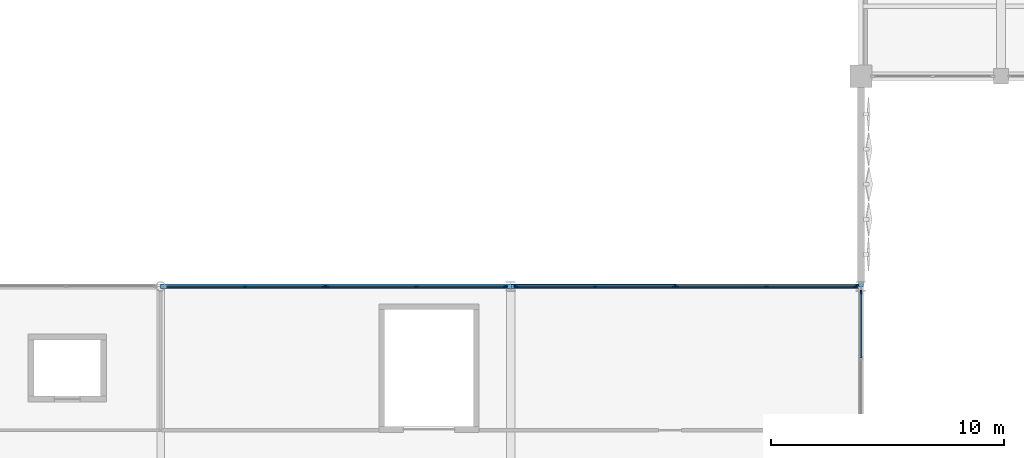
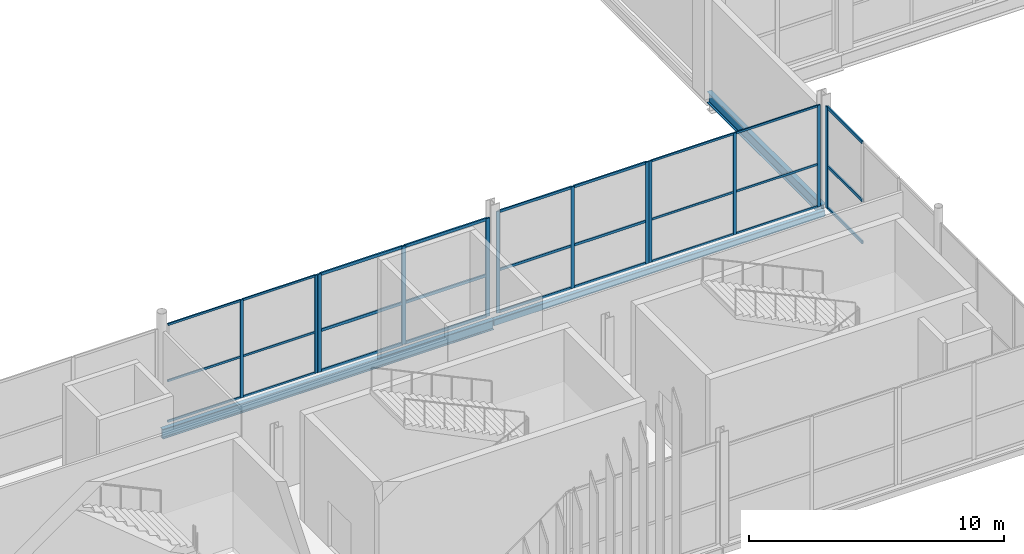
# One storey, part 29 of 119: 39 members, 3 beams, 5 elements without a shape of their own.
"""IFC4 building model written with IfcOpenShell, lengths in metres."""

from ifc_helpers import new_model, si_unit, direction, frame, origin, origin_2d, place, context, subcontext, project, spatial, rectangle, hollow_rectangle, i_section, extrude, material, layer, layer_set, material_profile, profile_set, type_object, element, aggregate, save


model = new_model("IFC4")

# Units and contexts
model_context = context("Model", 3, precision=1e-05, world=origin(), true_north=direction((0.0, 1.0)))
body_context = subcontext(model_context, "Body", "Model", "MODEL_VIEW")
ifc_project = project(units=[si_unit("LENGTHUNIT", "METRE"), si_unit("AREAUNIT", "SQUARE_METRE"), si_unit("VOLUMEUNIT", "CUBIC_METRE"), si_unit("PLANEANGLEUNIT", "RADIAN"), si_unit("MASSUNIT", "GRAM", prefix="KILO")], contexts=[model_context])

# Site, building, storey
site_placement = place(None, origin())
site = spatial("IfcSite", under=ifc_project, at=site_placement, CompositionType="ELEMENT")
building_placement = place(site_placement, origin())
building = spatial("IfcBuilding", under=site, at=building_placement, Name="Qamarlyn Nura Convention Centre", CompositionType="ELEMENT")
storey_placement = place(building_placement, frame((0.0, 0.0, 5.39990234375)))
storey = spatial("IfcBuildingStorey", under=building, at=storey_placement, Name="L01", CompositionType="ELEMENT", Elevation=5.39990234375)

# Beams
ifc_material_1 = material(Name="Steel ASTM A992", Category="steel")
ifc_material_profile_1 = material_profile(ifc_material_1, i_section(OverallWidth=0.193115234375, OverallDepth=0.466064453125, WebThickness=0.011474609375, FlangeThickness=0.01904296875, FilletRadius=0.012939453125, at=origin_2d()), Name="W460X97")
ifc_profile_set_1 = profile_set([ifc_material_profile_1], Name="Steel ASTM A992")
beam_type_1 = type_object("IfcBeamType", Name="BM-SPAN-460", PredefinedType="SPANDREL", material=ifc_profile_set_1)
beam_1_placement = place(storey_placement, frame((90.0, 18.0, -0.452880859375), z_axis=(1.0, 0.0, 0.0), x_axis=(0.0, 1.0, 0.0)))
element("IfcBeam", 1, at=beam_1_placement, inside=storey, type_object=beam_type_1, Name="L01 girder C 7-8", PredefinedType="SPANDREL", context=body_context, shape_type="SweptSolid", body=[
    extrude(i_section(OverallWidth=0.193115234375, OverallDepth=0.466064453125, WebThickness=0.011474609375, FlangeThickness=0.01904296875, FilletRadius=0.012939453125, at=origin_2d()), origin(), (0.0, 0.0, 1.0), 15.0),
])
ifc_material_profile_2 = material_profile(ifc_material_1, i_section(OverallWidth=0.2109375, OverallDepth=0.5390625, WebThickness=0.01171875, FlangeThickness=0.018798828125, FilletRadius=0.013916015625, at=origin_2d()), Name="W530X109")
ifc_profile_set_2 = profile_set([ifc_material_profile_2], Name="Steel ASTM A992")
beam_type_2 = type_object("IfcBeamType", Name="BM-SPAN-530", PredefinedType="SPANDREL", material=ifc_profile_set_2)
beam_2_placement = place(storey_placement, frame((120.0, 18.0, -0.269287109375), z_axis=(0.0, 1.0, 0.0), x_axis=(-1.0, 0.0, 0.0)))
element("IfcBeam", 2, at=beam_2_placement, inside=storey, type_object=beam_type_2, Name="L01 girder 9 C-D", PredefinedType="SPANDREL", context=body_context, shape_type="SweptSolid", body=[
    extrude(i_section(OverallWidth=0.2109375, OverallDepth=0.5390625, WebThickness=0.01171875, FlangeThickness=0.018798828125, FilletRadius=0.013916015625, at=origin_2d()), origin(), (0.0, 0.0, 1.0), 9.0),
])
ifc_material_2 = material(Name="Steel ASTM A500 Grade C", Category="steel")
ifc_material_profile_3 = material_profile(ifc_material_2, hollow_rectangle(XDim=0.199951171875, YDim=0.300048828125, WallThickness=0.012451171875, InnerFilletRadius=0.012451171875, OuterFilletRadius=0.02490234375, at=origin_2d()), Name="HSS300X200X12.5")
ifc_profile_set_3 = profile_set([ifc_material_profile_3], Name="Steel ASTM A500 Grade C")
beam_type_3 = type_object("IfcBeamType", Name="BM-SPAN-HSS", PredefinedType="SPANDREL", material=ifc_profile_set_3)
beam_3_placement = place(storey_placement, frame((105.0, 18.0, -0.369873046875), z_axis=(1.0, 0.0, 0.0), x_axis=(0.0, 1.0, 0.0)))
element("IfcBeam", 3, at=beam_3_placement, inside=storey, type_object=beam_type_3, Name="L01 girder C 8-9", PredefinedType="SPANDREL", context=body_context, shape_type="SweptSolid", body=[
    extrude(hollow_rectangle(XDim=0.199951171875, YDim=0.300048828125, WallThickness=0.012451171875, InnerFilletRadius=0.012451171875, OuterFilletRadius=0.02490234375, at=origin_2d()), origin(), (0.0, 0.0, 1.0), 15.0),
])

# Curtain wall, members
ifc_material_3 = material(Name="Double-silver low-E insulated glass", Category="glass")
ifc_layer_1 = layer(ifc_material_3, 0.179931640625, Name="CW-UNIT-05")
ifc_layer_set_1 = layer_set([ifc_layer_1], Name="Double-silver low-E insulated glass")
curtain_wall_type_1 = type_object("IfcCurtainWallType", Name="CW-UNIT-05", PredefinedType="NOTDEFINED", material=ifc_layer_set_1)
curtain_wall_1_placement = place(storey_placement, origin())
curtain_wall_1 = element("IfcCurtainWall", 4, at=curtain_wall_1_placement, inside=storey, type_object=curtain_wall_type_1, Name="L01 unitised curtain wall V1-INT-S3-1A", PredefinedType="NOTDEFINED")
ifc_material_4 = material(Name="Champagne-anodised marine aluminium", Category="aluminium")
ifc_material_profile_4 = material_profile(ifc_material_4, rectangle(XDim=0.06005859375, YDim=0.139892578125, at=origin_2d()), Name="ALU MULLION 60x140")
ifc_profile_set_4 = profile_set([ifc_material_profile_4], Name="Champagne-anodised marine aluminium")
member_type_1 = type_object("IfcMemberType", Name="CWM-140", PredefinedType="MULLION", material=ifc_profile_set_4)
member_1_placement = place(storey_placement, frame((93.6123046875, 18.0, 0.0), z_axis=(0.0, 0.0, 1.0), x_axis=(0.0, 1.0, 0.0)))
member_1 = element("IfcMember", 5, at=member_1_placement, type_object=member_type_1, Name="CW05 mullion 2", PredefinedType="MULLION", context=body_context, shape_type="SweptSolid", body=[
    extrude(rectangle(XDim=0.06005859375, YDim=0.139892578125, at=origin_2d()), origin(), (0.0, 0.0, 1.0), 4.69921875),
])
member_2_placement = place(storey_placement, frame((96.99169921875, 18.0, 0.0), z_axis=(0.0, 0.0, 1.0), x_axis=(0.0, 1.0, 0.0)))
member_2 = element("IfcMember", 6, at=member_2_placement, type_object=member_type_1, Name="CW05 mullion 3", PredefinedType="MULLION", context=body_context, shape_type="SweptSolid", body=[
    extrude(rectangle(XDim=0.06005859375, YDim=0.139892578125, at=origin_2d()), origin(), (0.0, 0.0, 1.0), 4.69921875),
])

ifc_layer_2 = layer(ifc_material_3, 0.179931640625, Name="CW-UNIT-08")
ifc_layer_set_2 = layer_set([ifc_layer_2], Name="Double-silver low-E insulated glass")
curtain_wall_type_2 = type_object("IfcCurtainWallType", Name="CW-UNIT-08", PredefinedType="NOTDEFINED", material=ifc_layer_set_2)
curtain_wall_2_placement = place(storey_placement, origin())
curtain_wall_2 = element("IfcCurtainWall", 7, at=curtain_wall_2_placement, inside=storey, type_object=curtain_wall_type_2, Name="L01 unitised curtain wall V1-INT-S4-1B", PredefinedType="NOTDEFINED")
member_3_placement = place(storey_placement, frame((112.13232421875, 18.0, 0.0), z_axis=(0.0, 0.0, 1.0), x_axis=(0.0, 1.0, 0.0)))
member_3 = element("IfcMember", 8, at=member_3_placement, type_object=member_type_1, Name="CW08 mullion 1", PredefinedType="MULLION", context=body_context, shape_type="SweptSolid", body=[
    extrude(rectangle(XDim=0.06005859375, YDim=0.139892578125, at=origin_2d()), origin(), (0.0, 0.0, 1.0), 4.864990234375),
])
member_4_placement = place(storey_placement, frame((115.948974609375, 18.0, 0.0), z_axis=(0.0, 0.0, 1.0), x_axis=(0.0, 1.0, 0.0)))
member_4 = element("IfcMember", 9, at=member_4_placement, type_object=member_type_1, Name="CW08 mullion 2", PredefinedType="MULLION", context=body_context, shape_type="SweptSolid", body=[
    extrude(rectangle(XDim=0.06005859375, YDim=0.139892578125, at=origin_2d()), origin(), (0.0, 0.0, 1.0), 4.864990234375),
])
member_5_placement = place(storey_placement, frame((119.765380859375, 18.0, 0.0), z_axis=(0.0, 0.0, 1.0), x_axis=(0.0, 1.0, 0.0)))
member_5 = element("IfcMember", 10, at=member_5_placement, type_object=member_type_1, Name="CW08 mullion 3", PredefinedType="MULLION", context=body_context, shape_type="SweptSolid", body=[
    extrude(rectangle(XDim=0.06005859375, YDim=0.139892578125, at=origin_2d()), origin(), (0.0, 0.0, 1.0), 4.864990234375),
])

ifc_layer_3 = layer(ifc_material_3, 0.179931640625, Name="CW-UNIT-07")
ifc_layer_set_3 = layer_set([ifc_layer_3], Name="Double-silver low-E insulated glass")
curtain_wall_type_3 = type_object("IfcCurtainWallType", Name="CW-UNIT-07", PredefinedType="NOTDEFINED", material=ifc_layer_set_3)
curtain_wall_3_placement = place(storey_placement, origin())
curtain_wall_3 = element("IfcCurtainWall", 11, at=curtain_wall_3_placement, inside=storey, type_object=curtain_wall_type_3, Name="L01 unitised curtain wall V1-INT-S4-1A", PredefinedType="NOTDEFINED")
ifc_material_profile_5 = material_profile(ifc_material_4, rectangle(XDim=0.06494140625, YDim=0.159912109375, at=origin_2d()), Name="ALU MULLION 65x160")
ifc_profile_set_5 = profile_set([ifc_material_profile_5], Name="Champagne-anodised marine aluminium")
member_type_2 = type_object("IfcMemberType", Name="CWM-160", PredefinedType="MULLION", material=ifc_profile_set_5)
member_6_placement = place(storey_placement, frame((105.237060546875, 18.0, 0.0), z_axis=(0.0, 0.0, 1.0), x_axis=(0.0, 1.0, 0.0)))
member_6 = element("IfcMember", 12, at=member_6_placement, type_object=member_type_2, Name="CW07 mullion 1", PredefinedType="MULLION", context=body_context, shape_type="SweptSolid", body=[
    extrude(rectangle(XDim=0.06494140625, YDim=0.159912109375, at=origin_2d()), origin(), (0.0, 0.0, 1.0), 4.864990234375),
])
member_7_placement = place(storey_placement, frame((108.61328125, 18.0, 0.0), z_axis=(0.0, 0.0, 1.0), x_axis=(0.0, 1.0, 0.0)))
member_7 = element("IfcMember", 13, at=member_7_placement, type_object=member_type_2, Name="CW07 mullion 2", PredefinedType="MULLION", context=body_context, shape_type="SweptSolid", body=[
    extrude(rectangle(XDim=0.06494140625, YDim=0.159912109375, at=origin_2d()), origin(), (0.0, 0.0, 1.0), 4.864990234375),
])
member_8_placement = place(storey_placement, frame((111.98974609375, 18.0, 0.0), z_axis=(0.0, 0.0, 1.0), x_axis=(0.0, 1.0, 0.0)))
member_8 = element("IfcMember", 14, at=member_8_placement, type_object=member_type_2, Name="CW07 mullion 3", PredefinedType="MULLION", context=body_context, shape_type="SweptSolid", body=[
    extrude(rectangle(XDim=0.06494140625, YDim=0.159912109375, at=origin_2d()), origin(), (0.0, 0.0, 1.0), 4.864990234375),
])

ifc_layer_4 = layer(ifc_material_3, 0.179931640625, Name="CW-UNIT-06")
ifc_layer_set_4 = layer_set([ifc_layer_4], Name="Double-silver low-E insulated glass")
curtain_wall_type_4 = type_object("IfcCurtainWallType", Name="CW-UNIT-06", PredefinedType="NOTDEFINED", material=ifc_layer_set_4)
curtain_wall_4_placement = place(storey_placement, origin())
curtain_wall_4 = element("IfcCurtainWall", 15, at=curtain_wall_4_placement, inside=storey, type_object=curtain_wall_type_4, Name="L01 unitised curtain wall V1-INT-S3-1B", PredefinedType="NOTDEFINED")
ifc_material_profile_6 = material_profile(ifc_material_4, rectangle(XDim=0.070068359375, YDim=0.179931640625, at=origin_2d()), Name="ALU MULLION 70x180")
ifc_profile_set_6 = profile_set([ifc_material_profile_6], Name="Champagne-anodised marine aluminium")
member_type_3 = type_object("IfcMemberType", Name="CWM-180", PredefinedType="MULLION", material=ifc_profile_set_6)
member_9_placement = place(storey_placement, frame((97.13671875, 18.0, 0.0), z_axis=(0.0, 0.0, 1.0), x_axis=(0.0, 1.0, 0.0)))
member_9 = element("IfcMember", 16, at=member_9_placement, type_object=member_type_3, Name="CW06 mullion 1", PredefinedType="MULLION", context=body_context, shape_type="SweptSolid", body=[
    extrude(rectangle(XDim=0.070068359375, YDim=0.179931640625, at=origin_2d()), origin(), (0.0, 0.0, 1.0), 4.69921875),
])
member_10_placement = place(storey_placement, frame((100.948486328125, 18.0, 0.0), z_axis=(0.0, 0.0, 1.0), x_axis=(0.0, 1.0, 0.0)))
member_10 = element("IfcMember", 17, at=member_10_placement, type_object=member_type_3, Name="CW06 mullion 2", PredefinedType="MULLION", context=body_context, shape_type="SweptSolid", body=[
    extrude(rectangle(XDim=0.070068359375, YDim=0.179931640625, at=origin_2d()), origin(), (0.0, 0.0, 1.0), 4.69921875),
])
member_11_placement = place(storey_placement, frame((104.760498046875, 18.0, 0.0), z_axis=(0.0, 0.0, 1.0), x_axis=(0.0, 1.0, 0.0)))
member_11 = element("IfcMember", 18, at=member_11_placement, type_object=member_type_3, Name="CW06 mullion 3", PredefinedType="MULLION", context=body_context, shape_type="SweptSolid", body=[
    extrude(rectangle(XDim=0.070068359375, YDim=0.179931640625, at=origin_2d()), origin(), (0.0, 0.0, 1.0), 4.69921875),
])

# Curtain wall, member
ifc_layer_5 = layer(ifc_material_3, 0.179931640625, Name="CW-UNIT-16")
ifc_layer_set_5 = layer_set([ifc_layer_5], Name="Double-silver low-E insulated glass")
curtain_wall_type_5 = type_object("IfcCurtainWallType", Name="CW-UNIT-16", PredefinedType="NOTDEFINED", material=ifc_layer_set_5)
curtain_wall_5_placement = place(storey_placement, origin())
curtain_wall_5 = element("IfcCurtainWall", 19, at=curtain_wall_5_placement, inside=storey, type_object=curtain_wall_type_5, Name="L01 unitised curtain wall V1E-2-1", PredefinedType="NOTDEFINED")
member_12_placement = place(storey_placement, frame((120.0, 17.75244140625, 0.0), z_axis=(0.0, 0.0, 1.0), x_axis=(1.0, 0.0, 0.0)))
member_12 = element("IfcMember", 20, at=member_12_placement, type_object=member_type_3, Name="CW16 mullion 1", PredefinedType="MULLION", context=body_context, shape_type="SweptSolid", body=[
    extrude(rectangle(XDim=0.070068359375, YDim=0.179931640625, at=origin_2d()), origin(), (0.0, 0.0, 1.0), 4.864990234375),
])

# Member
ifc_material_profile_7 = material_profile(ifc_material_4, rectangle(XDim=0.06005859375, YDim=0.10009765625, at=origin_2d()), Name="ALU TRANSOM 60x100")
ifc_profile_set_7 = profile_set([ifc_material_profile_7], Name="Champagne-anodised marine aluminium")
member_type_4 = type_object("IfcMemberType", Name="CWT-100", PredefinedType="USERDEFINED", material=ifc_profile_set_7)
member_13_placement = place(storey_placement, frame((90.26318359375, 18.0, 0.030029296875), z_axis=(1.0, 0.0, 0.0), x_axis=(0.0, 1.0, 0.0)))
member_13 = element("IfcMember", 21, at=member_13_placement, type_object=member_type_4, Name="CW05 transom 1.1", ObjectType="TRANSOM", PredefinedType="USERDEFINED", context=body_context, shape_type="SweptSolid", body=[
    extrude(rectangle(XDim=0.06005859375, YDim=0.10009765625, at=origin_2d()), origin(), (0.0, 0.0, 1.0), 3.3193359375),
])

member_14_placement = place(storey_placement, frame((90.26318359375, 18.0, 1.97412109375), z_axis=(1.0, 0.0, 0.0), x_axis=(0.0, 1.0, 0.0)))
member_14 = element("IfcMember", 22, at=member_14_placement, type_object=member_type_4, Name="CW05 transom 1.2", ObjectType="TRANSOM", PredefinedType="USERDEFINED", context=body_context, shape_type="SweptSolid", body=[
    extrude(rectangle(XDim=0.06005859375, YDim=0.10009765625, at=origin_2d()), origin(), (0.0, 0.0, 1.0), 3.3193359375),
])

member_15_placement = place(storey_placement, frame((90.26318359375, 18.0, 4.669189453125), z_axis=(1.0, 0.0, 0.0), x_axis=(0.0, 1.0, 0.0)))
member_15 = element("IfcMember", 23, at=member_15_placement, type_object=member_type_4, Name="CW05 transom 1.3", ObjectType="TRANSOM", PredefinedType="USERDEFINED", context=body_context, shape_type="SweptSolid", body=[
    extrude(rectangle(XDim=0.06005859375, YDim=0.10009765625, at=origin_2d()), origin(), (0.0, 0.0, 1.0), 3.3193359375),
])

member_16_placement = place(storey_placement, frame((93.642333984375, 18.0, 0.030029296875), z_axis=(1.0, 0.0, 0.0), x_axis=(0.0, 1.0, 0.0)))
member_16 = element("IfcMember", 24, at=member_16_placement, type_object=member_type_4, Name="CW05 transom 2.1", ObjectType="TRANSOM", PredefinedType="USERDEFINED", context=body_context, shape_type="SweptSolid", body=[
    extrude(rectangle(XDim=0.06005859375, YDim=0.10009765625, at=origin_2d()), origin(), (0.0, 0.0, 1.0), 3.3193359375),
])

member_17_placement = place(storey_placement, frame((93.642333984375, 18.0, 1.97412109375), z_axis=(1.0, 0.0, 0.0), x_axis=(0.0, 1.0, 0.0)))
member_17 = element("IfcMember", 25, at=member_17_placement, type_object=member_type_4, Name="CW05 transom 2.2", ObjectType="TRANSOM", PredefinedType="USERDEFINED", context=body_context, shape_type="SweptSolid", body=[
    extrude(rectangle(XDim=0.06005859375, YDim=0.10009765625, at=origin_2d()), origin(), (0.0, 0.0, 1.0), 3.3193359375),
])

member_18_placement = place(storey_placement, frame((93.642333984375, 18.0, 4.669189453125), z_axis=(1.0, 0.0, 0.0), x_axis=(0.0, 1.0, 0.0)))
member_18 = element("IfcMember", 26, at=member_18_placement, type_object=member_type_4, Name="CW05 transom 2.3", ObjectType="TRANSOM", PredefinedType="USERDEFINED", context=body_context, shape_type="SweptSolid", body=[
    extrude(rectangle(XDim=0.06005859375, YDim=0.10009765625, at=origin_2d()), origin(), (0.0, 0.0, 1.0), 3.3193359375),
])

aggregate(curtain_wall_1, [member_1, member_2, member_13, member_14, member_15, member_16, member_17, member_18])

member_19_placement = place(storey_placement, frame((112.162353515625, 18.0, 0.030029296875), z_axis=(1.0, 0.0, 0.0), x_axis=(0.0, 1.0, 0.0)))
member_19 = element("IfcMember", 27, at=member_19_placement, type_object=member_type_4, Name="CW08 transom 1.1", ObjectType="TRANSOM", PredefinedType="USERDEFINED", context=body_context, shape_type="SweptSolid", body=[
    extrude(rectangle(XDim=0.06005859375, YDim=0.10009765625, at=origin_2d()), origin(), (0.0, 0.0, 1.0), 3.756591796875),
])

member_20_placement = place(storey_placement, frame((112.162353515625, 18.0, 2.043212890625), z_axis=(1.0, 0.0, 0.0), x_axis=(0.0, 1.0, 0.0)))
member_20 = element("IfcMember", 28, at=member_20_placement, type_object=member_type_4, Name="CW08 transom 1.2", ObjectType="TRANSOM", PredefinedType="USERDEFINED", context=body_context, shape_type="SweptSolid", body=[
    extrude(rectangle(XDim=0.06005859375, YDim=0.10009765625, at=origin_2d()), origin(), (0.0, 0.0, 1.0), 3.756591796875),
])

member_21_placement = place(storey_placement, frame((112.162353515625, 18.0, 4.835205078125), z_axis=(1.0, 0.0, 0.0), x_axis=(0.0, 1.0, 0.0)))
member_21 = element("IfcMember", 29, at=member_21_placement, type_object=member_type_4, Name="CW08 transom 1.3", ObjectType="TRANSOM", PredefinedType="USERDEFINED", context=body_context, shape_type="SweptSolid", body=[
    extrude(rectangle(XDim=0.06005859375, YDim=0.10009765625, at=origin_2d()), origin(), (0.0, 0.0, 1.0), 3.756591796875),
])

member_22_placement = place(storey_placement, frame((115.97900390625, 18.0, 0.030029296875), z_axis=(1.0, 0.0, 0.0), x_axis=(0.0, 1.0, 0.0)))
member_22 = element("IfcMember", 30, at=member_22_placement, type_object=member_type_4, Name="CW08 transom 2.1", ObjectType="TRANSOM", PredefinedType="USERDEFINED", context=body_context, shape_type="SweptSolid", body=[
    extrude(rectangle(XDim=0.06005859375, YDim=0.10009765625, at=origin_2d()), origin(), (0.0, 0.0, 1.0), 3.756591796875),
])

member_23_placement = place(storey_placement, frame((115.97900390625, 18.0, 2.043212890625), z_axis=(1.0, 0.0, 0.0), x_axis=(0.0, 1.0, 0.0)))
member_23 = element("IfcMember", 31, at=member_23_placement, type_object=member_type_4, Name="CW08 transom 2.2", ObjectType="TRANSOM", PredefinedType="USERDEFINED", context=body_context, shape_type="SweptSolid", body=[
    extrude(rectangle(XDim=0.06005859375, YDim=0.10009765625, at=origin_2d()), origin(), (0.0, 0.0, 1.0), 3.756591796875),
])

member_24_placement = place(storey_placement, frame((115.97900390625, 18.0, 4.835205078125), z_axis=(1.0, 0.0, 0.0), x_axis=(0.0, 1.0, 0.0)))
member_24 = element("IfcMember", 32, at=member_24_placement, type_object=member_type_4, Name="CW08 transom 2.3", ObjectType="TRANSOM", PredefinedType="USERDEFINED", context=body_context, shape_type="SweptSolid", body=[
    extrude(rectangle(XDim=0.06005859375, YDim=0.10009765625, at=origin_2d()), origin(), (0.0, 0.0, 1.0), 3.756591796875),
])

aggregate(curtain_wall_2, [member_3, member_4, member_5, member_19, member_20, member_21, member_22, member_23, member_24])

ifc_material_profile_8 = material_profile(ifc_material_4, rectangle(XDim=0.06494140625, YDim=0.1201171875, at=origin_2d()), Name="ALU TRANSOM 65x120")
ifc_profile_set_8 = profile_set([ifc_material_profile_8], Name="Champagne-anodised marine aluminium")
member_type_5 = type_object("IfcMemberType", Name="CWT-120", PredefinedType="USERDEFINED", material=ifc_profile_set_8)
member_25_placement = place(storey_placement, frame((105.26953125, 18.0, 0.03271484375), z_axis=(1.0, 0.0, 0.0), x_axis=(0.0, 1.0, 0.0)))
member_25 = element("IfcMember", 33, at=member_25_placement, type_object=member_type_5, Name="CW07 transom 1.1", ObjectType="TRANSOM", PredefinedType="USERDEFINED", context=body_context, shape_type="SweptSolid", body=[
    extrude(rectangle(XDim=0.06494140625, YDim=0.1201171875, at=origin_2d()), origin(), (0.0, 0.0, 1.0), 3.311279296875),
])

member_26_placement = place(storey_placement, frame((105.26953125, 18.0, 2.043212890625), z_axis=(1.0, 0.0, 0.0), x_axis=(0.0, 1.0, 0.0)))
member_26 = element("IfcMember", 34, at=member_26_placement, type_object=member_type_5, Name="CW07 transom 1.2", ObjectType="TRANSOM", PredefinedType="USERDEFINED", context=body_context, shape_type="SweptSolid", body=[
    extrude(rectangle(XDim=0.06494140625, YDim=0.1201171875, at=origin_2d()), origin(), (0.0, 0.0, 1.0), 3.311279296875),
])

member_27_placement = place(storey_placement, frame((105.26953125, 18.0, 4.83251953125), z_axis=(1.0, 0.0, 0.0), x_axis=(0.0, 1.0, 0.0)))
member_27 = element("IfcMember", 35, at=member_27_placement, type_object=member_type_5, Name="CW07 transom 1.3", ObjectType="TRANSOM", PredefinedType="USERDEFINED", context=body_context, shape_type="SweptSolid", body=[
    extrude(rectangle(XDim=0.06494140625, YDim=0.1201171875, at=origin_2d()), origin(), (0.0, 0.0, 1.0), 3.311279296875),
])

member_28_placement = place(storey_placement, frame((108.64599609375, 18.0, 0.03271484375), z_axis=(1.0, 0.0, 0.0), x_axis=(0.0, 1.0, 0.0)))
member_28 = element("IfcMember", 36, at=member_28_placement, type_object=member_type_5, Name="CW07 transom 2.1", ObjectType="TRANSOM", PredefinedType="USERDEFINED", context=body_context, shape_type="SweptSolid", body=[
    extrude(rectangle(XDim=0.06494140625, YDim=0.1201171875, at=origin_2d()), origin(), (0.0, 0.0, 1.0), 3.311279296875),
])

member_29_placement = place(storey_placement, frame((108.64599609375, 18.0, 2.043212890625), z_axis=(1.0, 0.0, 0.0), x_axis=(0.0, 1.0, 0.0)))
member_29 = element("IfcMember", 37, at=member_29_placement, type_object=member_type_5, Name="CW07 transom 2.2", ObjectType="TRANSOM", PredefinedType="USERDEFINED", context=body_context, shape_type="SweptSolid", body=[
    extrude(rectangle(XDim=0.06494140625, YDim=0.1201171875, at=origin_2d()), origin(), (0.0, 0.0, 1.0), 3.311279296875),
])

member_30_placement = place(storey_placement, frame((108.64599609375, 18.0, 4.83251953125), z_axis=(1.0, 0.0, 0.0), x_axis=(0.0, 1.0, 0.0)))
member_30 = element("IfcMember", 38, at=member_30_placement, type_object=member_type_5, Name="CW07 transom 2.3", ObjectType="TRANSOM", PredefinedType="USERDEFINED", context=body_context, shape_type="SweptSolid", body=[
    extrude(rectangle(XDim=0.06494140625, YDim=0.1201171875, at=origin_2d()), origin(), (0.0, 0.0, 1.0), 3.311279296875),
])

aggregate(curtain_wall_3, [member_6, member_7, member_8, member_25, member_26, member_27, member_28, member_29, member_30])

ifc_material_profile_9 = material_profile(ifc_material_4, rectangle(XDim=0.070068359375, YDim=0.139892578125, at=origin_2d()), Name="ALU TRANSOM 70x140")
ifc_profile_set_9 = profile_set([ifc_material_profile_9], Name="Champagne-anodised marine aluminium")
member_type_6 = type_object("IfcMemberType", Name="CWT-140", PredefinedType="USERDEFINED", material=ifc_profile_set_9)
member_31_placement = place(storey_placement, frame((97.171630859375, 18.0, 0.03515625), z_axis=(1.0, 0.0, 0.0), x_axis=(0.0, 1.0, 0.0)))
member_31 = element("IfcMember", 39, at=member_31_placement, type_object=member_type_6, Name="CW06 transom 1.1", ObjectType="TRANSOM", PredefinedType="USERDEFINED", context=body_context, shape_type="SweptSolid", body=[
    extrude(rectangle(XDim=0.070068359375, YDim=0.139892578125, at=origin_2d()), origin(), (0.0, 0.0, 1.0), 3.741943359375),
])

member_32_placement = place(storey_placement, frame((97.171630859375, 18.0, 1.97412109375), z_axis=(1.0, 0.0, 0.0), x_axis=(0.0, 1.0, 0.0)))
member_32 = element("IfcMember", 40, at=member_32_placement, type_object=member_type_6, Name="CW06 transom 1.2", ObjectType="TRANSOM", PredefinedType="USERDEFINED", context=body_context, shape_type="SweptSolid", body=[
    extrude(rectangle(XDim=0.070068359375, YDim=0.139892578125, at=origin_2d()), origin(), (0.0, 0.0, 1.0), 3.741943359375),
])

member_33_placement = place(storey_placement, frame((97.171630859375, 18.0, 4.6640625), z_axis=(1.0, 0.0, 0.0), x_axis=(0.0, 1.0, 0.0)))
member_33 = element("IfcMember", 41, at=member_33_placement, type_object=member_type_6, Name="CW06 transom 1.3", ObjectType="TRANSOM", PredefinedType="USERDEFINED", context=body_context, shape_type="SweptSolid", body=[
    extrude(rectangle(XDim=0.070068359375, YDim=0.139892578125, at=origin_2d()), origin(), (0.0, 0.0, 1.0), 3.741943359375),
])

member_34_placement = place(storey_placement, frame((100.983642578125, 18.0, 0.03515625), z_axis=(1.0, 0.0, 0.0), x_axis=(0.0, 1.0, 0.0)))
member_34 = element("IfcMember", 42, at=member_34_placement, type_object=member_type_6, Name="CW06 transom 2.1", ObjectType="TRANSOM", PredefinedType="USERDEFINED", context=body_context, shape_type="SweptSolid", body=[
    extrude(rectangle(XDim=0.070068359375, YDim=0.139892578125, at=origin_2d()), origin(), (0.0, 0.0, 1.0), 3.741943359375),
])

member_35_placement = place(storey_placement, frame((100.983642578125, 18.0, 1.97412109375), z_axis=(1.0, 0.0, 0.0), x_axis=(0.0, 1.0, 0.0)))
member_35 = element("IfcMember", 43, at=member_35_placement, type_object=member_type_6, Name="CW06 transom 2.2", ObjectType="TRANSOM", PredefinedType="USERDEFINED", context=body_context, shape_type="SweptSolid", body=[
    extrude(rectangle(XDim=0.070068359375, YDim=0.139892578125, at=origin_2d()), origin(), (0.0, 0.0, 1.0), 3.741943359375),
])

member_36_placement = place(storey_placement, frame((100.983642578125, 18.0, 4.6640625), z_axis=(1.0, 0.0, 0.0), x_axis=(0.0, 1.0, 0.0)))
member_36 = element("IfcMember", 44, at=member_36_placement, type_object=member_type_6, Name="CW06 transom 2.3", ObjectType="TRANSOM", PredefinedType="USERDEFINED", context=body_context, shape_type="SweptSolid", body=[
    extrude(rectangle(XDim=0.070068359375, YDim=0.139892578125, at=origin_2d()), origin(), (0.0, 0.0, 1.0), 3.741943359375),
])

aggregate(curtain_wall_4, [member_9, member_10, member_11, member_31, member_32, member_33, member_34, member_35, member_36])

member_37_placement = place(storey_placement, frame((120.0, 17.717529296875, 0.03515625), z_axis=(0.0, -1.0, 0.0), x_axis=(1.0, 0.0, 0.0)))
member_37 = element("IfcMember", 45, at=member_37_placement, type_object=member_type_6, Name="CW16 transom 1.1", ObjectType="TRANSOM", PredefinedType="USERDEFINED", context=body_context, shape_type="SweptSolid", body=[
    extrude(rectangle(XDim=0.070068359375, YDim=0.139892578125, at=origin_2d()), origin(), (0.0, 0.0, 1.0), 2.764892578125),
])

member_38_placement = place(storey_placement, frame((120.0, 17.717529296875, 2.043212890625), z_axis=(0.0, -1.0, 0.0), x_axis=(1.0, 0.0, 0.0)))
member_38 = element("IfcMember", 46, at=member_38_placement, type_object=member_type_6, Name="CW16 transom 1.2", ObjectType="TRANSOM", PredefinedType="USERDEFINED", context=body_context, shape_type="SweptSolid", body=[
    extrude(rectangle(XDim=0.070068359375, YDim=0.139892578125, at=origin_2d()), origin(), (0.0, 0.0, 1.0), 2.764892578125),
])

member_39_placement = place(storey_placement, frame((120.0, 17.717529296875, 4.830078125), z_axis=(0.0, -1.0, 0.0), x_axis=(1.0, 0.0, 0.0)))
member_39 = element("IfcMember", 47, at=member_39_placement, type_object=member_type_6, Name="CW16 transom 1.3", ObjectType="TRANSOM", PredefinedType="USERDEFINED", context=body_context, shape_type="SweptSolid", body=[
    extrude(rectangle(XDim=0.070068359375, YDim=0.139892578125, at=origin_2d()), origin(), (0.0, 0.0, 1.0), 2.764892578125),
])

aggregate(curtain_wall_5, [member_12, member_37, member_38, member_39])

save(model, "model.ifc")
